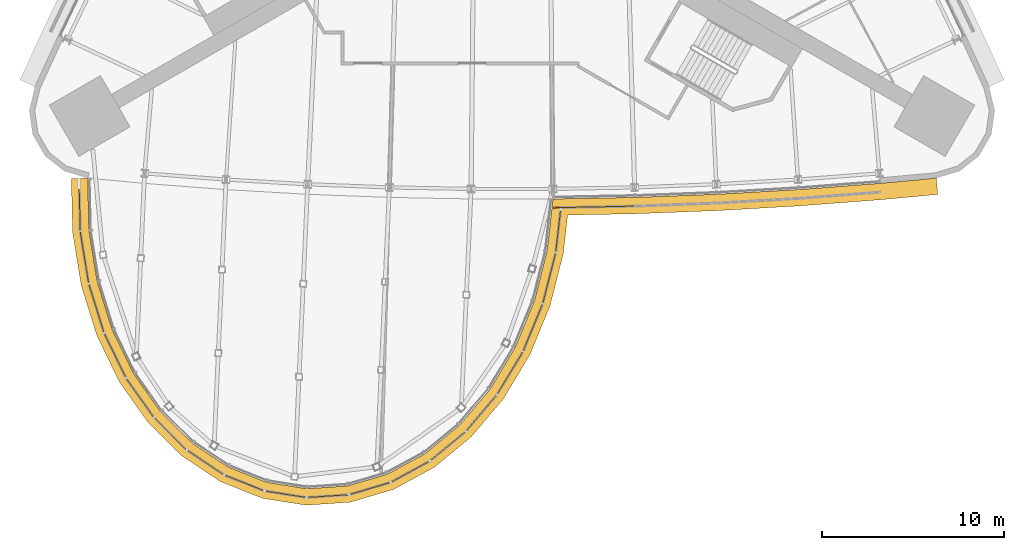
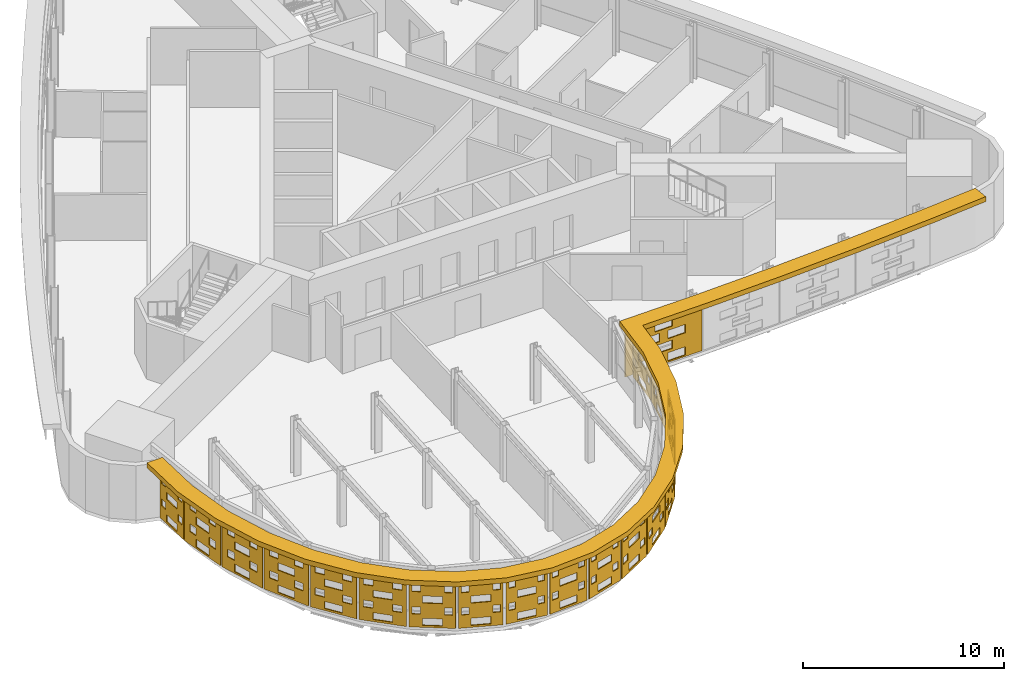
# One storey, part 14 of 16: 20 shading devices.
"""IFC4 building model written with IfcOpenShell, lengths in metres."""

from ifc_helpers import new_model, si_unit, direction, frame, origin, place, context, subcontext, project, spatial, polyline, outline, extrude, material, layer, layer_set, material_profile, profile_set, type_object, element, save


model = new_model("IFC4")

# Units and contexts
model_context = context("Model", 3, precision=1e-05, world=origin(), true_north=direction((0.0, 1.0)))
body_context = subcontext(model_context, "Body", "Model", "MODEL_VIEW")
ifc_project = project(units=[si_unit("LENGTHUNIT", "METRE"), si_unit("AREAUNIT", "SQUARE_METRE"), si_unit("VOLUMEUNIT", "CUBIC_METRE"), si_unit("PLANEANGLEUNIT", "RADIAN"), si_unit("MASSUNIT", "GRAM", prefix="KILO")], contexts=[model_context])

# Site, building, storey
site_placement = place(None, origin())
site = spatial("IfcSite", under=ifc_project, at=site_placement, CompositionType="ELEMENT")
building_placement = place(site_placement, origin())
building = spatial("IfcBuilding", under=site, at=building_placement, Name="Noor Cloister Tower", CompositionType="ELEMENT")
storey_placement = place(building_placement, frame((0.0, 0.0, 65.39990234375)))
storey = spatial("IfcBuildingStorey", under=building, at=storey_placement, Name="L16", CompositionType="ELEMENT", Elevation=65.39990234375)

# Shading devices
ifc_material_1 = material(Name="Limestone", Category="masonry")
ifc_material_profile = material_profile(ifc_material_1, outline(polyline([(-2.22998046875, -1.35009765625), (2.22998046875, -1.35009765625), (2.22998046875, 1.35009765625), (-2.22998046875, 1.35009765625), (-2.22998046875, -1.35009765625)]), holes=[polyline([(-1.25, -1.263427734375), (-0.25, -1.263427734375), (-0.25, -0.76171875), (-1.25, -0.76171875), (-1.25, -1.263427734375)]), polyline([(0.25, -1.263427734375), (1.25, -1.263427734375), (1.25, -0.76171875), (0.25, -0.76171875), (0.25, -1.263427734375)]), polyline([(-0.5, -0.58837890625), (0.5, -0.58837890625), (0.5, -0.086669921875), (-0.5, -0.086669921875), (-0.5, -0.58837890625)]), polyline([(-1.25, 0.086669921875), (-0.25, 0.086669921875), (-0.25, 0.58837890625), (-1.25, 0.58837890625), (-1.25, 0.086669921875)]), polyline([(0.25, 0.086669921875), (1.25, 0.086669921875), (1.25, 0.58837890625), (0.25, 0.58837890625), (0.25, 0.086669921875)]), polyline([(-0.5, 0.76171875), (0.5, 0.76171875), (0.5, 1.263427734375), (-0.5, 1.263427734375), (-0.5, 0.76171875)])]), Name="Woven screen 25 percent open")
ifc_profile_set = profile_set([ifc_material_profile], Name="Limestone")
shading_device_type_1 = type_object("IfcShadingDeviceType", Name="SCREEN woven limestone 25 percent open", PredefinedType="USERDEFINED", material=ifc_profile_set)
shading_device_1_placement = place(storey_placement, frame((4.508056640625, -18.35107421875, 1.85009765625), z_axis=(0.020321006241, -0.999793507033, 0.0), x_axis=(0.999793507033, 0.020321006241, 0.0)))
element("IfcShadingDevice", 1, at=shading_device_1_placement, inside=storey, type_object=shading_device_type_1, Name="SCREEN L16 19", ObjectType="SCREEN", PredefinedType="USERDEFINED", context=body_context, shape_type="SweptSolid", body=[
    extrude(outline(polyline([(-2.22998046875, -1.35009765625), (2.22998046875, -1.35009765625), (2.22998046875, 1.35009765625), (-2.22998046875, 1.35009765625), (-2.22998046875, -1.35009765625)]), holes=[polyline([(-1.25, -1.263427734375), (-0.25, -1.263427734375), (-0.25, -0.76171875), (-1.25, -0.76171875), (-1.25, -1.263427734375)]), polyline([(0.25, -1.263427734375), (1.25, -1.263427734375), (1.25, -0.76171875), (0.25, -0.76171875), (0.25, -1.263427734375)]), polyline([(-0.5, -0.58837890625), (0.5, -0.58837890625), (0.5, -0.086669921875), (-0.5, -0.086669921875), (-0.5, -0.58837890625)]), polyline([(-1.25, 0.086669921875), (-0.25, 0.086669921875), (-0.25, 0.58837890625), (-1.25, 0.58837890625), (-1.25, 0.086669921875)]), polyline([(0.25, 0.086669921875), (1.25, 0.086669921875), (1.25, 0.58837890625), (0.25, 0.58837890625), (0.25, 0.086669921875)]), polyline([(-0.5, 0.76171875), (0.5, 0.76171875), (0.5, 1.263427734375), (-0.5, 1.263427734375), (-0.5, 0.76171875)])]), origin(), (0.0, 0.0, 1.0), 0.06005859375),
])
ifc_material_2 = material(Name="Limestone", Category="masonry")
ifc_layer = layer(ifc_material_2, 0.06005859375)
ifc_layer_set = layer_set([ifc_layer], Name="SCREEN woven limestone pod 25 percent open")
shading_device_type_2 = type_object("IfcShadingDeviceType", Name="SCREEN woven limestone pod 25 percent open", PredefinedType="USERDEFINED", material=ifc_layer_set)
shading_device_2_placement = place(storey_placement, frame((-23.707275390625, -18.546142578125, 1.85009765625), z_axis=(-0.999702690643, -0.024382992455, 0.0), x_axis=(0.024382992455, -0.999702690643, 0.0)))
element("IfcShadingDevice", 2, at=shading_device_2_placement, inside=storey, type_object=shading_device_type_2, Name="SCREEN L16 1", ObjectType="SCREEN", PredefinedType="USERDEFINED", context=body_context, shape_type="SweptSolid", body=[
    extrude(outline(polyline([(-1.115966796875, -1.35009765625), (1.115966796875, -1.35009765625), (1.115966796875, 1.35009765625), (-1.115966796875, 1.35009765625), (-1.115966796875, -1.35009765625)]), holes=[polyline([(-0.5, -1.22998046875), (0.5, -1.22998046875), (0.5, -0.794921875), (-0.5, -0.794921875), (-0.5, -1.22998046875)]), polyline([(0.60009765625, -0.554931640625), (0.9658203125, -0.554931640625), (0.9658203125, -0.1201171875), (0.60009765625, -0.1201171875), (0.60009765625, -0.554931640625)]), polyline([(-0.9658203125, -0.554931640625), (-0.60009765625, -0.554931640625), (-0.60009765625, -0.1201171875), (-0.9658203125, -0.1201171875), (-0.9658203125, -0.554931640625)]), polyline([(-0.5, 0.1201171875), (0.5, 0.1201171875), (0.5, 0.554931640625), (-0.5, 0.554931640625), (-0.5, 0.1201171875)]), polyline([(0.60009765625, 0.794921875), (0.9658203125, 0.794921875), (0.9658203125, 1.22998046875), (0.60009765625, 1.22998046875), (0.60009765625, 0.794921875)]), polyline([(-0.9658203125, 0.794921875), (-0.60009765625, 0.794921875), (-0.60009765625, 1.22998046875), (-0.9658203125, 1.22998046875), (-0.9658203125, 0.794921875)])]), origin(), (0.0, 0.0, 1.0), 0.06005859375),
])
shading_device_3_placement = place(storey_placement, frame((-23.449462890625, -21.1435546875, 1.85009765625), z_axis=(-0.986721182076, -0.162423239848, 0.0), x_axis=(0.162423239848, -0.986721182076, 0.0)))
element("IfcShadingDevice", 3, at=shading_device_3_placement, inside=storey, type_object=shading_device_type_2, Name="SCREEN L16 2", ObjectType="SCREEN", PredefinedType="USERDEFINED", context=body_context, shape_type="SweptSolid", body=[
    extrude(outline(polyline([(-1.398681640625, -1.35009765625), (1.398681640625, -1.35009765625), (1.398681640625, 1.35009765625), (-1.398681640625, 1.35009765625), (-1.398681640625, -1.35009765625)]), holes=[polyline([(-0.5, -1.24853515625), (0.5, -1.24853515625), (0.5, -0.7763671875), (-0.5, -0.7763671875), (-0.5, -1.24853515625)]), polyline([(-1.0, -0.573486328125), (-0.5, -0.573486328125), (-0.5, -0.1015625), (-1.0, -0.1015625), (-1.0, -0.573486328125)]), polyline([(0.5, -0.573486328125), (1.0, -0.573486328125), (1.0, -0.1015625), (0.5, -0.1015625), (0.5, -0.573486328125)]), polyline([(-0.5, 0.1015625), (0.5, 0.1015625), (0.5, 0.573486328125), (-0.5, 0.573486328125), (-0.5, 0.1015625)]), polyline([(-1.0, 0.7763671875), (-0.5, 0.7763671875), (-0.5, 1.24853515625), (-1.0, 1.24853515625), (-1.0, 0.7763671875)]), polyline([(0.5, 0.7763671875), (1.0, 0.7763671875), (1.0, 1.24853515625), (0.5, 1.24853515625), (0.5, 0.7763671875)])]), origin(), (0.0, 0.0, 1.0), 0.06005859375),
])
shading_device_4_placement = place(storey_placement, frame((-22.796630859375, -23.929443359375, 1.85009765625), z_axis=(-0.954984766623, -0.296654842398, 0.0), x_axis=(0.296654842398, -0.954984766623, 0.0)))
element("IfcShadingDevice", 4, at=shading_device_4_placement, inside=storey, type_object=shading_device_type_2, Name="SCREEN L16 3", ObjectType="SCREEN", PredefinedType="USERDEFINED", context=body_context, shape_type="SweptSolid", body=[
    extrude(outline(polyline([(-1.36572265625, -1.35009765625), (1.36572265625, -1.35009765625), (1.36572265625, 1.35009765625), (-1.36572265625, 1.35009765625), (-1.36572265625, -1.35009765625)]), holes=[polyline([(-0.5, -1.242919921875), (0.5, -1.242919921875), (0.5, -0.781982421875), (-0.5, -0.781982421875), (-0.5, -1.242919921875)]), polyline([(-1.0, -0.56787109375), (-0.5, -0.56787109375), (-0.5, -0.10693359375), (-1.0, -0.10693359375), (-1.0, -0.56787109375)]), polyline([(0.5, -0.56787109375), (1.0, -0.56787109375), (1.0, -0.10693359375), (0.5, -0.10693359375), (0.5, -0.56787109375)]), polyline([(-0.5, 0.10693359375), (0.5, 0.10693359375), (0.5, 0.56787109375), (-0.5, 0.56787109375), (-0.5, 0.10693359375)]), polyline([(-1.0, 0.781982421875), (-0.5, 0.781982421875), (-0.5, 1.242919921875), (-1.0, 1.242919921875), (-1.0, 0.781982421875)]), polyline([(0.5, 0.781982421875), (1.0, 0.781982421875), (1.0, 1.242919921875), (0.5, 1.242919921875), (0.5, 0.781982421875)])]), origin(), (0.0, 0.0, 1.0), 0.06005859375),
])
shading_device_5_placement = place(storey_placement, frame((-21.773681640625, -26.520751953125, 1.85009765625), z_axis=(-0.898455643642, -0.43906429644, 0.0), x_axis=(0.43906429644, -0.898455643642, 0.0)))
element("IfcShadingDevice", 5, at=shading_device_5_placement, inside=storey, type_object=shading_device_type_2, Name="SCREEN L16 4", ObjectType="SCREEN", PredefinedType="USERDEFINED", context=body_context, shape_type="SweptSolid", body=[
    extrude(outline(polyline([(-1.3203125, -1.35009765625), (1.3203125, -1.35009765625), (1.3203125, 1.35009765625), (-1.3203125, 1.35009765625), (-1.3203125, -1.35009765625)]), holes=[polyline([(-0.5, -1.2353515625), (0.5, -1.2353515625), (0.5, -0.789794921875), (-0.5, -0.789794921875), (-0.5, -1.2353515625)]), polyline([(-1.0, -0.560302734375), (-0.5, -0.560302734375), (-0.5, -0.11474609375), (-1.0, -0.11474609375), (-1.0, -0.560302734375)]), polyline([(0.5, -0.560302734375), (1.0, -0.560302734375), (1.0, -0.11474609375), (0.5, -0.11474609375), (0.5, -0.560302734375)]), polyline([(-0.5, 0.11474609375), (0.5, 0.11474609375), (0.5, 0.560302734375), (-0.5, 0.560302734375), (-0.5, 0.11474609375)]), polyline([(-1.0, 0.789794921875), (-0.5, 0.789794921875), (-0.5, 1.2353515625), (-1.0, 1.2353515625), (-1.0, 0.789794921875)]), polyline([(0.5, 0.789794921875), (1.0, 0.789794921875), (1.0, 1.2353515625), (0.5, 1.2353515625), (0.5, 0.789794921875)])]), origin(), (0.0, 0.0, 1.0), 0.06005859375),
])
shading_device_6_placement = place(storey_placement, frame((-20.4091796875, -28.840087890625, 1.85009765625), z_axis=(-0.81538298462, -0.57892191908, 0.0), x_axis=(0.57892191908, -0.81538298462, 0.0)))
element("IfcShadingDevice", 6, at=shading_device_6_placement, inside=storey, type_object=shading_device_type_2, Name="SCREEN L16 5", ObjectType="SCREEN", PredefinedType="USERDEFINED", context=body_context, shape_type="SweptSolid", body=[
    extrude(outline(polyline([(-1.266357421875, -1.35009765625), (1.266357421875, -1.35009765625), (1.266357421875, 1.35009765625), (-1.266357421875, 1.35009765625), (-1.266357421875, -1.35009765625)]), holes=[polyline([(-0.5, -1.226318359375), (0.5, -1.226318359375), (0.5, -0.798828125), (-0.5, -0.798828125), (-0.5, -1.226318359375)]), polyline([(-1.0, -0.55126953125), (-0.5, -0.55126953125), (-0.5, -0.123779296875), (-1.0, -0.123779296875), (-1.0, -0.55126953125)]), polyline([(0.5, -0.55126953125), (1.0, -0.55126953125), (1.0, -0.123779296875), (0.5, -0.123779296875), (0.5, -0.55126953125)]), polyline([(-0.5, 0.123779296875), (0.5, 0.123779296875), (0.5, 0.55126953125), (-0.5, 0.55126953125), (-0.5, 0.123779296875)]), polyline([(-1.0, 0.798828125), (-0.5, 0.798828125), (-0.5, 1.226318359375), (-1.0, 1.226318359375), (-1.0, 0.798828125)]), polyline([(0.5, 0.798828125), (1.0, 0.798828125), (1.0, 1.226318359375), (0.5, 1.226318359375), (0.5, 0.798828125)])]), origin(), (0.0, 0.0, 1.0), 0.059814453125),
])
shading_device_7_placement = place(storey_placement, frame((-18.740966796875, -30.816650390625, 1.85009765625), z_axis=(-0.703031338833, -0.711158868762, 0.0), x_axis=(0.711158868762, -0.703031338833, 0.0)))
element("IfcShadingDevice", 7, at=shading_device_7_placement, inside=storey, type_object=shading_device_type_2, Name="SCREEN L16 6", ObjectType="SCREEN", PredefinedType="USERDEFINED", context=body_context, shape_type="SweptSolid", body=[
    extrude(outline(polyline([(-1.210205078125, -1.35009765625), (1.210205078125, -1.35009765625), (1.210205078125, 1.35009765625), (-1.210205078125, 1.35009765625), (-1.210205078125, -1.35009765625)]), holes=[polyline([(-0.5, -1.216796875), (0.5, -1.216796875), (0.5, -0.808349609375), (-0.5, -0.808349609375), (-0.5, -1.216796875)]), polyline([(-1.0, -0.541748046875), (-0.5, -0.541748046875), (-0.5, -0.13330078125), (-1.0, -0.13330078125), (-1.0, -0.541748046875)]), polyline([(0.5, -0.541748046875), (1.0, -0.541748046875), (1.0, -0.13330078125), (0.5, -0.13330078125), (0.5, -0.541748046875)]), polyline([(-0.5, 0.13330078125), (0.5, 0.13330078125), (0.5, 0.541748046875), (-0.5, 0.541748046875), (-0.5, 0.13330078125)]), polyline([(-1.0, 0.808349609375), (-0.5, 0.808349609375), (-0.5, 1.216796875), (-1.0, 1.216796875), (-1.0, 0.808349609375)]), polyline([(0.5, 0.808349609375), (1.0, 0.808349609375), (1.0, 1.216796875), (0.5, 1.216796875), (0.5, 0.808349609375)])]), origin(), (0.0, 0.0, 1.0), 0.06005859375),
])
shading_device_8_placement = place(storey_placement, frame((-16.816650390625, -32.388427734375, 1.85009765625), z_axis=(-0.552822691054, -0.833298909309, 0.0), x_axis=(0.833298909309, -0.552822691054, 0.0)))
element("IfcShadingDevice", 8, at=shading_device_8_placement, inside=storey, type_object=shading_device_type_2, Name="SCREEN L16 7", ObjectType="SCREEN", PredefinedType="USERDEFINED", context=body_context, shape_type="SweptSolid", body=[
    extrude(outline(polyline([(-1.15869140625, -1.35009765625), (1.15869140625, -1.35009765625), (1.15869140625, 1.35009765625), (-1.15869140625, 1.35009765625), (-1.15869140625, -1.35009765625)]), holes=[polyline([(-0.5, -1.227783203125), (0.5, -1.227783203125), (0.5, -0.79736328125), (-0.5, -0.79736328125), (-0.5, -1.227783203125)]), polyline([(0.60009765625, -0.552734375), (1.0087890625, -0.552734375), (1.0087890625, -0.122314453125), (0.60009765625, -0.122314453125), (0.60009765625, -0.552734375)]), polyline([(-1.0087890625, -0.552734375), (-0.60009765625, -0.552734375), (-0.60009765625, -0.122314453125), (-1.0087890625, -0.122314453125), (-1.0087890625, -0.552734375)]), polyline([(-0.5, 0.122314453125), (0.5, 0.122314453125), (0.5, 0.552734375), (-0.5, 0.552734375), (-0.5, 0.122314453125)]), polyline([(0.60009765625, 0.79736328125), (1.0087890625, 0.79736328125), (1.0087890625, 1.227783203125), (0.60009765625, 1.227783203125), (0.60009765625, 0.79736328125)]), polyline([(-1.0087890625, 0.79736328125), (-0.60009765625, 0.79736328125), (-0.60009765625, 1.227783203125), (-1.0087890625, 1.227783203125), (-1.0087890625, 0.79736328125)])]), origin(), (0.0, 0.0, 1.0), 0.06005859375),
])
shading_device_9_placement = place(storey_placement, frame((-14.693115234375, -33.50439453125, 1.85009765625), z_axis=(-0.370688243003, -0.928757356094, 0.0), x_axis=(0.928757356094, -0.370688243003, 0.0)))
element("IfcShadingDevice", 9, at=shading_device_9_placement, inside=storey, type_object=shading_device_type_2, Name="SCREEN L16 8", ObjectType="SCREEN", PredefinedType="USERDEFINED", context=body_context, shape_type="SweptSolid", body=[
    extrude(outline(polyline([(-1.118896484375, -1.35009765625), (1.118896484375, -1.35009765625), (1.118896484375, 1.35009765625), (-1.118896484375, 1.35009765625), (-1.118896484375, -1.35009765625)]), holes=[polyline([(-0.5, -1.229736328125), (0.5, -1.229736328125), (0.5, -0.795166015625), (-0.5, -0.795166015625), (-0.5, -1.229736328125)]), polyline([(0.60009765625, -0.5546875), (0.968994140625, -0.5546875), (0.968994140625, -0.1201171875), (0.60009765625, -0.1201171875), (0.60009765625, -0.5546875)]), polyline([(-0.968994140625, -0.5546875), (-0.60009765625, -0.5546875), (-0.60009765625, -0.1201171875), (-0.968994140625, -0.1201171875), (-0.968994140625, -0.5546875)]), polyline([(-0.5, 0.1201171875), (0.5, 0.1201171875), (0.5, 0.5546875), (-0.5, 0.5546875), (-0.5, 0.1201171875)]), polyline([(0.60009765625, 0.795166015625), (0.968994140625, 0.795166015625), (0.968994140625, 1.229736328125), (0.60009765625, 1.229736328125), (0.60009765625, 0.795166015625)]), polyline([(-0.968994140625, 0.795166015625), (-0.60009765625, 0.795166015625), (-0.60009765625, 1.229736328125), (-0.968994140625, 1.229736328125), (-0.968994140625, 0.795166015625)])]), origin(), (0.0, 0.0, 1.0), 0.059814453125),
])
shading_device_10_placement = place(storey_placement, frame((-12.435546875, -34.125244140625, 1.85009765625), z_axis=(-0.154500907682, -0.987992646494, 0.0), x_axis=(0.987992646494, -0.154500907682, 0.0)))
element("IfcShadingDevice", 10, at=shading_device_10_placement, inside=storey, type_object=shading_device_type_2, Name="SCREEN L16 9", ObjectType="SCREEN", PredefinedType="USERDEFINED", context=body_context, shape_type="SweptSolid", body=[
    extrude(outline(polyline([(-1.09716796875, -1.35009765625), (1.09716796875, -1.35009765625), (1.09716796875, 1.35009765625), (-1.09716796875, 1.35009765625), (-1.09716796875, -1.35009765625)]), holes=[polyline([(-0.5, -1.23095703125), (0.5, -1.23095703125), (0.5, -0.7939453125), (-0.5, -0.7939453125), (-0.5, -1.23095703125)]), polyline([(0.60009765625, -0.55615234375), (0.947265625, -0.55615234375), (0.947265625, -0.118896484375), (0.60009765625, -0.118896484375), (0.60009765625, -0.55615234375)]), polyline([(-0.947265625, -0.55615234375), (-0.60009765625, -0.55615234375), (-0.60009765625, -0.118896484375), (-0.947265625, -0.118896484375), (-0.947265625, -0.55615234375)]), polyline([(-0.5, 0.118896484375), (0.5, 0.118896484375), (0.5, 0.55615234375), (-0.5, 0.55615234375), (-0.5, 0.118896484375)]), polyline([(0.60009765625, 0.7939453125), (0.947265625, 0.7939453125), (0.947265625, 1.23095703125), (0.60009765625, 1.23095703125), (0.60009765625, 0.7939453125)]), polyline([(-0.947265625, 0.7939453125), (-0.60009765625, 0.7939453125), (-0.60009765625, 1.23095703125), (-0.947265625, 1.23095703125), (-0.947265625, 0.7939453125)])]), origin(), (0.0, 0.0, 1.0), 0.06005859375),
])
shading_device_11_placement = place(storey_placement, frame((-10.116455078125, -34.22900390625, 1.85009765625), z_axis=(0.064903515062, -0.997891544073, 0.0), x_axis=(0.997891544073, 0.064903515062, 0.0)))
element("IfcShadingDevice", 11, at=shading_device_11_placement, inside=storey, type_object=shading_device_type_2, Name="SCREEN L16 10", ObjectType="SCREEN", PredefinedType="USERDEFINED", context=body_context, shape_type="SweptSolid", body=[
    extrude(outline(polyline([(-1.09716796875, -1.35009765625), (1.09716796875, -1.35009765625), (1.09716796875, 1.35009765625), (-1.09716796875, 1.35009765625), (-1.09716796875, -1.35009765625)]), holes=[polyline([(-0.5, -1.23095703125), (0.5, -1.23095703125), (0.5, -0.7939453125), (-0.5, -0.7939453125), (-0.5, -1.23095703125)]), polyline([(0.60009765625, -0.55615234375), (0.947265625, -0.55615234375), (0.947265625, -0.118896484375), (0.60009765625, -0.118896484375), (0.60009765625, -0.55615234375)]), polyline([(-0.947265625, -0.55615234375), (-0.60009765625, -0.55615234375), (-0.60009765625, -0.118896484375), (-0.947265625, -0.118896484375), (-0.947265625, -0.55615234375)]), polyline([(-0.5, 0.118896484375), (0.5, 0.118896484375), (0.5, 0.55615234375), (-0.5, 0.55615234375), (-0.5, 0.118896484375)]), polyline([(0.60009765625, 0.7939453125), (0.947265625, 0.7939453125), (0.947265625, 1.23095703125), (0.60009765625, 1.23095703125), (0.60009765625, 0.7939453125)]), polyline([(-0.947265625, 0.7939453125), (-0.60009765625, 0.7939453125), (-0.60009765625, 1.23095703125), (-0.947265625, 1.23095703125), (-0.947265625, 0.7939453125)])]), origin(), (0.0, 0.0, 1.0), 0.060302734375),
])
shading_device_12_placement = place(storey_placement, frame((-7.8125, -33.812255859375, 1.85009765625), z_axis=(0.284364947432, -0.958716108487, 0.0), x_axis=(0.958716108487, 0.284364947432, 0.0)))
element("IfcShadingDevice", 12, at=shading_device_12_placement, inside=storey, type_object=shading_device_type_2, Name="SCREEN L16 11", ObjectType="SCREEN", PredefinedType="USERDEFINED", context=body_context, shape_type="SweptSolid", body=[
    extrude(outline(polyline([(-1.118896484375, -1.35009765625), (1.118896484375, -1.35009765625), (1.118896484375, 1.35009765625), (-1.118896484375, 1.35009765625), (-1.118896484375, -1.35009765625)]), holes=[polyline([(-0.5, -1.229736328125), (0.5, -1.229736328125), (0.5, -0.795166015625), (-0.5, -0.795166015625), (-0.5, -1.229736328125)]), polyline([(0.60009765625, -0.5546875), (0.968994140625, -0.5546875), (0.968994140625, -0.1201171875), (0.60009765625, -0.1201171875), (0.60009765625, -0.5546875)]), polyline([(-0.968994140625, -0.5546875), (-0.60009765625, -0.5546875), (-0.60009765625, -0.1201171875), (-0.968994140625, -0.1201171875), (-0.968994140625, -0.5546875)]), polyline([(-0.5, 0.1201171875), (0.5, 0.1201171875), (0.5, 0.5546875), (-0.5, 0.5546875), (-0.5, 0.1201171875)]), polyline([(0.60009765625, 0.795166015625), (0.968994140625, 0.795166015625), (0.968994140625, 1.229736328125), (0.60009765625, 1.229736328125), (0.60009765625, 0.795166015625)]), polyline([(-0.968994140625, 0.795166015625), (-0.60009765625, 0.795166015625), (-0.60009765625, 1.229736328125), (-0.968994140625, 1.229736328125), (-0.968994140625, 0.795166015625)])]), origin(), (0.0, 0.0, 1.0), 0.06005859375),
])
shading_device_13_placement = place(storey_placement, frame((-5.59765625, -32.890869140625, 1.85009765625), z_axis=(0.479421352547, -0.877584848731, 0.0), x_axis=(0.877584848731, 0.479421352547, 0.0)))
element("IfcShadingDevice", 13, at=shading_device_13_placement, inside=storey, type_object=shading_device_type_2, Name="SCREEN L16 12", ObjectType="SCREEN", PredefinedType="USERDEFINED", context=body_context, shape_type="SweptSolid", body=[
    extrude(outline(polyline([(-1.15869140625, -1.35009765625), (1.15869140625, -1.35009765625), (1.15869140625, 1.35009765625), (-1.15869140625, 1.35009765625), (-1.15869140625, -1.35009765625)]), holes=[polyline([(-0.5, -1.227783203125), (0.5, -1.227783203125), (0.5, -0.79736328125), (-0.5, -0.79736328125), (-0.5, -1.227783203125)]), polyline([(0.60009765625, -0.552734375), (1.0087890625, -0.552734375), (1.0087890625, -0.122314453125), (0.60009765625, -0.122314453125), (0.60009765625, -0.552734375)]), polyline([(-1.0087890625, -0.552734375), (-0.60009765625, -0.552734375), (-0.60009765625, -0.122314453125), (-1.0087890625, -0.122314453125), (-1.0087890625, -0.552734375)]), polyline([(-0.5, 0.122314453125), (0.5, 0.122314453125), (0.5, 0.552734375), (-0.5, 0.552734375), (-0.5, 0.122314453125)]), polyline([(0.60009765625, 0.79736328125), (1.0087890625, 0.79736328125), (1.0087890625, 1.227783203125), (0.60009765625, 1.227783203125), (0.60009765625, 0.79736328125)]), polyline([(-1.0087890625, 0.79736328125), (-0.60009765625, 0.79736328125), (-0.60009765625, 1.227783203125), (-1.0087890625, 1.227783203125), (-1.0087890625, 0.79736328125)])]), origin(), (0.0, 0.0, 1.0), 0.06005859375),
])
shading_device_14_placement = place(storey_placement, frame((-3.54052734375, -31.4970703125, 1.85009765625), z_axis=(0.634565916964, -0.77286874502, 0.0), x_axis=(0.77286874502, 0.634565916964, 0.0)))
element("IfcShadingDevice", 14, at=shading_device_14_placement, inside=storey, type_object=shading_device_type_2, Name="SCREEN L16 13", ObjectType="SCREEN", PredefinedType="USERDEFINED", context=body_context, shape_type="SweptSolid", body=[
    extrude(outline(polyline([(-1.210205078125, -1.35009765625), (1.210205078125, -1.35009765625), (1.210205078125, 1.35009765625), (-1.210205078125, 1.35009765625), (-1.210205078125, -1.35009765625)]), holes=[polyline([(-0.5, -1.216796875), (0.5, -1.216796875), (0.5, -0.808349609375), (-0.5, -0.808349609375), (-0.5, -1.216796875)]), polyline([(-1.0, -0.541748046875), (-0.5, -0.541748046875), (-0.5, -0.13330078125), (-1.0, -0.13330078125), (-1.0, -0.541748046875)]), polyline([(0.5, -0.541748046875), (1.0, -0.541748046875), (1.0, -0.13330078125), (0.5, -0.13330078125), (0.5, -0.541748046875)]), polyline([(-0.5, 0.13330078125), (0.5, 0.13330078125), (0.5, 0.541748046875), (-0.5, 0.541748046875), (-0.5, 0.13330078125)]), polyline([(-1.0, 0.808349609375), (-0.5, 0.808349609375), (-0.5, 1.216796875), (-1.0, 1.216796875), (-1.0, 0.808349609375)]), polyline([(0.5, 0.808349609375), (1.0, 0.808349609375), (1.0, 1.216796875), (0.5, 1.216796875), (0.5, 0.808349609375)])]), origin(), (0.0, 0.0, 1.0), 0.06005859375),
])
shading_device_15_placement = place(storey_placement, frame((-1.70263671875, -29.677490234375, 1.85009765625), z_axis=(0.76354031618, -0.645760161025, 0.0), x_axis=(0.645760161025, 0.76354031618, 0.0)))
element("IfcShadingDevice", 15, at=shading_device_15_placement, inside=storey, type_object=shading_device_type_2, Name="SCREEN L16 14", ObjectType="SCREEN", PredefinedType="USERDEFINED", context=body_context, shape_type="SweptSolid", body=[
    extrude(outline(polyline([(-1.266357421875, -1.35009765625), (1.266357421875, -1.35009765625), (1.266357421875, 1.35009765625), (-1.266357421875, 1.35009765625), (-1.266357421875, -1.35009765625)]), holes=[polyline([(-0.5, -1.226318359375), (0.5, -1.226318359375), (0.5, -0.798828125), (-0.5, -0.798828125), (-0.5, -1.226318359375)]), polyline([(-1.0, -0.55126953125), (-0.5, -0.55126953125), (-0.5, -0.123779296875), (-1.0, -0.123779296875), (-1.0, -0.55126953125)]), polyline([(0.5, -0.55126953125), (1.0, -0.55126953125), (1.0, -0.123779296875), (0.5, -0.123779296875), (0.5, -0.55126953125)]), polyline([(-0.5, 0.123779296875), (0.5, 0.123779296875), (0.5, 0.55126953125), (-0.5, 0.55126953125), (-0.5, 0.123779296875)]), polyline([(-1.0, 0.798828125), (-0.5, 0.798828125), (-0.5, 1.226318359375), (-1.0, 1.226318359375), (-1.0, 0.798828125)]), polyline([(0.5, 0.798828125), (1.0, 0.798828125), (1.0, 1.226318359375), (0.5, 1.226318359375), (0.5, 0.798828125)])]), origin(), (0.0, 0.0, 1.0), 0.06005859375),
])
shading_device_16_placement = place(storey_placement, frame((-0.135986328125, -27.489501953125, 1.85009765625), z_axis=(0.855690023312, -0.517488728384, 0.0), x_axis=(0.517488728384, 0.855690023312, 0.0)))
element("IfcShadingDevice", 16, at=shading_device_16_placement, inside=storey, type_object=shading_device_type_2, Name="SCREEN L16 15", ObjectType="SCREEN", PredefinedType="USERDEFINED", context=body_context, shape_type="SweptSolid", body=[
    extrude(outline(polyline([(-1.3203125, -1.35009765625), (1.3203125, -1.35009765625), (1.3203125, 1.35009765625), (-1.3203125, 1.35009765625), (-1.3203125, -1.35009765625)]), holes=[polyline([(-0.5, -1.2353515625), (0.5, -1.2353515625), (0.5, -0.789794921875), (-0.5, -0.789794921875), (-0.5, -1.2353515625)]), polyline([(-1.0, -0.560302734375), (-0.5, -0.560302734375), (-0.5, -0.11474609375), (-1.0, -0.11474609375), (-1.0, -0.560302734375)]), polyline([(0.5, -0.560302734375), (1.0, -0.560302734375), (1.0, -0.11474609375), (0.5, -0.11474609375), (0.5, -0.560302734375)]), polyline([(-0.5, 0.11474609375), (0.5, 0.11474609375), (0.5, 0.560302734375), (-0.5, 0.560302734375), (-0.5, 0.11474609375)]), polyline([(-1.0, 0.789794921875), (-0.5, 0.789794921875), (-0.5, 1.2353515625), (-1.0, 1.2353515625), (-1.0, 0.789794921875)]), polyline([(0.5, 0.789794921875), (1.0, 0.789794921875), (1.0, 1.2353515625), (0.5, 1.2353515625), (0.5, 0.789794921875)])]), origin(), (0.0, 0.0, 1.0), 0.059814453125),
])
shading_device_17_placement = place(storey_placement, frame((1.114501953125, -25.0, 1.85009765625), z_axis=(0.923917630863, -0.382591441855, 0.0), x_axis=(0.382591441855, 0.923917630863, 0.0)))
element("IfcShadingDevice", 17, at=shading_device_17_placement, inside=storey, type_object=shading_device_type_2, Name="SCREEN L16 16", ObjectType="SCREEN", PredefinedType="USERDEFINED", context=body_context, shape_type="SweptSolid", body=[
    extrude(outline(polyline([(-1.36572265625, -1.35009765625), (1.36572265625, -1.35009765625), (1.36572265625, 1.35009765625), (-1.36572265625, 1.35009765625), (-1.36572265625, -1.35009765625)]), holes=[polyline([(-0.5, -1.242919921875), (0.5, -1.242919921875), (0.5, -0.781982421875), (-0.5, -0.781982421875), (-0.5, -1.242919921875)]), polyline([(-1.0, -0.56787109375), (-0.5, -0.56787109375), (-0.5, -0.10693359375), (-1.0, -0.10693359375), (-1.0, -0.56787109375)]), polyline([(0.5, -0.56787109375), (1.0, -0.56787109375), (1.0, -0.10693359375), (0.5, -0.10693359375), (0.5, -0.56787109375)]), polyline([(-0.5, 0.10693359375), (0.5, 0.10693359375), (0.5, 0.56787109375), (-0.5, 0.56787109375), (-0.5, 0.10693359375)]), polyline([(-1.0, 0.781982421875), (-0.5, 0.781982421875), (-0.5, 1.242919921875), (-1.0, 1.242919921875), (-1.0, 0.781982421875)]), polyline([(0.5, 0.781982421875), (1.0, 0.781982421875), (1.0, 1.242919921875), (0.5, 1.242919921875), (0.5, 0.781982421875)])]), origin(), (0.0, 0.0, 1.0), 0.06005859375),
])
shading_device_18_placement = place(storey_placement, frame((2.013671875, -22.28369140625, 1.85009765625), z_axis=(0.969661287127, -0.244452425326, 0.0), x_axis=(0.244452425326, 0.969661287127, 0.0)))
element("IfcShadingDevice", 18, at=shading_device_18_placement, inside=storey, type_object=shading_device_type_2, Name="SCREEN L16 17", ObjectType="SCREEN", PredefinedType="USERDEFINED", context=body_context, shape_type="SweptSolid", body=[
    extrude(outline(polyline([(-1.398681640625, -1.35009765625), (1.398681640625, -1.35009765625), (1.398681640625, 1.35009765625), (-1.398681640625, 1.35009765625), (-1.398681640625, -1.35009765625)]), holes=[polyline([(-0.5, -1.24853515625), (0.5, -1.24853515625), (0.5, -0.7763671875), (-0.5, -0.7763671875), (-0.5, -1.24853515625)]), polyline([(-1.0, -0.573486328125), (-0.5, -0.573486328125), (-0.5, -0.1015625), (-1.0, -0.1015625), (-1.0, -0.573486328125)]), polyline([(0.5, -0.573486328125), (1.0, -0.573486328125), (1.0, -0.1015625), (0.5, -0.1015625), (0.5, -0.573486328125)]), polyline([(-0.5, 0.1015625), (0.5, 0.1015625), (0.5, 0.573486328125), (-0.5, 0.573486328125), (-0.5, 0.1015625)]), polyline([(-1.0, 0.7763671875), (-0.5, 0.7763671875), (-0.5, 1.24853515625), (-1.0, 1.24853515625), (-1.0, 0.7763671875)]), polyline([(0.5, 0.7763671875), (1.0, 0.7763671875), (1.0, 1.24853515625), (0.5, 1.24853515625), (0.5, 0.7763671875)])]), origin(), (0.0, 0.0, 1.0), 0.059814453125),
])
shading_device_19_placement = place(storey_placement, frame((2.50244140625, -19.719482421875, 1.85009765625), z_axis=(0.993480071526, -0.114005909847, 0.0), x_axis=(0.114005909847, 0.993480071526, 0.0)))
element("IfcShadingDevice", 19, at=shading_device_19_placement, inside=storey, type_object=shading_device_type_2, Name="SCREEN L16 18", ObjectType="SCREEN", PredefinedType="USERDEFINED", context=body_context, shape_type="SweptSolid", body=[
    extrude(outline(polyline([(-1.115966796875, -1.35009765625), (1.115966796875, -1.35009765625), (1.115966796875, 1.35009765625), (-1.115966796875, 1.35009765625), (-1.115966796875, -1.35009765625)]), holes=[polyline([(-0.5, -1.22998046875), (0.5, -1.22998046875), (0.5, -0.794921875), (-0.5, -0.794921875), (-0.5, -1.22998046875)]), polyline([(0.60009765625, -0.554931640625), (0.9658203125, -0.554931640625), (0.9658203125, -0.1201171875), (0.60009765625, -0.1201171875), (0.60009765625, -0.554931640625)]), polyline([(-0.9658203125, -0.554931640625), (-0.60009765625, -0.554931640625), (-0.60009765625, -0.1201171875), (-0.9658203125, -0.1201171875), (-0.9658203125, -0.554931640625)]), polyline([(-0.5, 0.1201171875), (0.5, 0.1201171875), (0.5, 0.554931640625), (-0.5, 0.554931640625), (-0.5, 0.1201171875)]), polyline([(0.60009765625, 0.794921875), (0.9658203125, 0.794921875), (0.9658203125, 1.22998046875), (0.60009765625, 1.22998046875), (0.60009765625, 0.794921875)]), polyline([(-0.9658203125, 0.794921875), (-0.60009765625, 0.794921875), (-0.60009765625, 1.22998046875), (-0.9658203125, 1.22998046875), (-0.9658203125, 0.794921875)])]), origin(), (0.0, 0.0, 1.0), 0.06005859375),
])
ifc_material_3 = material(Name="Limestone", Category="masonry")
shading_device_type_3 = type_object("IfcShadingDeviceType", Name="SUNSHADE limestone band 900", PredefinedType="USERDEFINED", material=ifc_material_3)
shading_device_20_placement = place(storey_placement, frame((0.0, 0.0, 3.300048828125)))
element("IfcShadingDevice", 20, at=shading_device_20_placement, inside=storey, type_object=shading_device_type_3, Name="SUNSHADE L16 2", ObjectType="SUNSHADE", PredefinedType="USERDEFINED", context=body_context, shape_type="SweptSolid", body=[
    extrude(outline(polyline([(-24.197021484375, -16.821044921875), (-24.129638671875, -19.753662109375), (-23.65771484375, -22.67919921875), (-22.7939453125, -25.451171875), (-21.560546875, -27.98876953125), (-19.989013671875, -30.2158203125), (-18.1201171875, -32.062744140625), (-16.00537109375, -33.4677734375), (-13.707763671875, -34.37939453125), (-11.302001953125, -34.760498046875), (-8.8720703125, -34.595703125), (-6.502197265625, -33.893310546875), (-4.270263671875, -32.682861328125), (-2.243896484375, -31.01025390625), (-0.4794921875, -28.932373046875), (0.9755859375, -26.515380859375), (2.08349609375, -23.83154296875), (2.815185546875, -20.9599609375), (3.0556640625, -18.828857421875), (6.77490234375, -18.7578125), (11.28857421875, -18.58544921875), (15.79833984375, -18.32666015625), (20.301025390625, -17.982177734375), (23.38037109375, -17.696533203125), (23.29736328125, -16.80029296875), (20.22509765625, -17.085205078125), (15.73828125, -17.4287109375), (11.24560546875, -17.686279296875), (6.7490234375, -17.858154296875), (2.25, -17.944091796875), (1.927734375, -20.797607421875), (1.227294921875, -23.54736328125), (0.169677734375, -26.109130859375), (-1.212890625, -28.40576171875), (-2.878173828125, -30.366943359375), (-4.77587890625, -31.933349609375), (-6.84814453125, -33.05712890625), (-9.0322265625, -33.70458984375), (-11.26171875, -33.855712890625), (-13.468505859375, -33.506103515625), (-15.5859375, -32.666015625), (-17.549560546875, -31.361328125), (-19.299560546875, -29.6318359375), (-20.783203125, -27.529541015625), (-21.954833984375, -25.11865234375), (-22.779296875, -22.472412109375), (-23.2314453125, -19.67138671875), (-23.29736328125, -16.80029296875), (-24.197021484375, -16.821044921875)])), origin(), (0.0, 0.0, 1.0), 0.300048828125),
])

save(model, "model.ifc")
